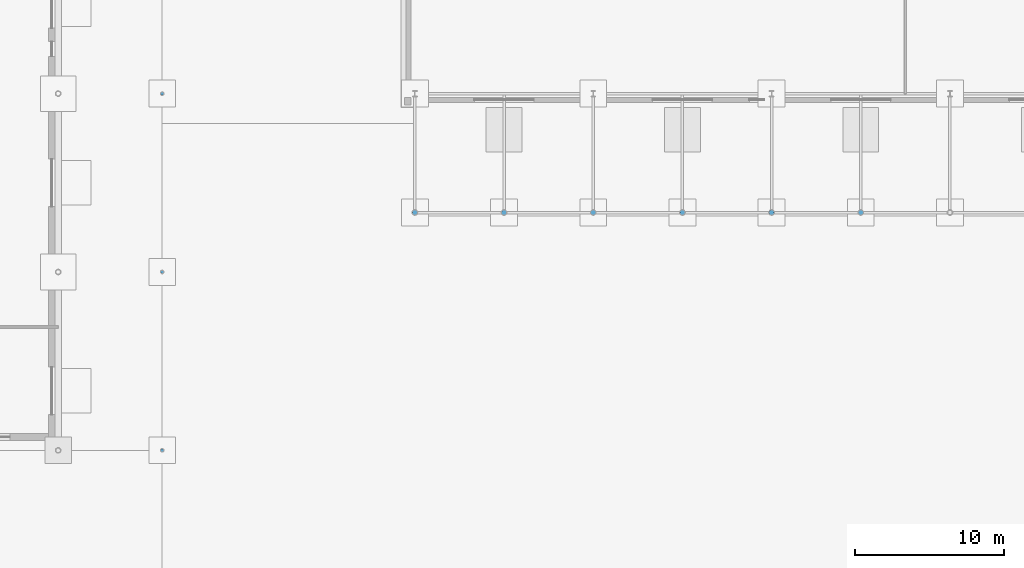
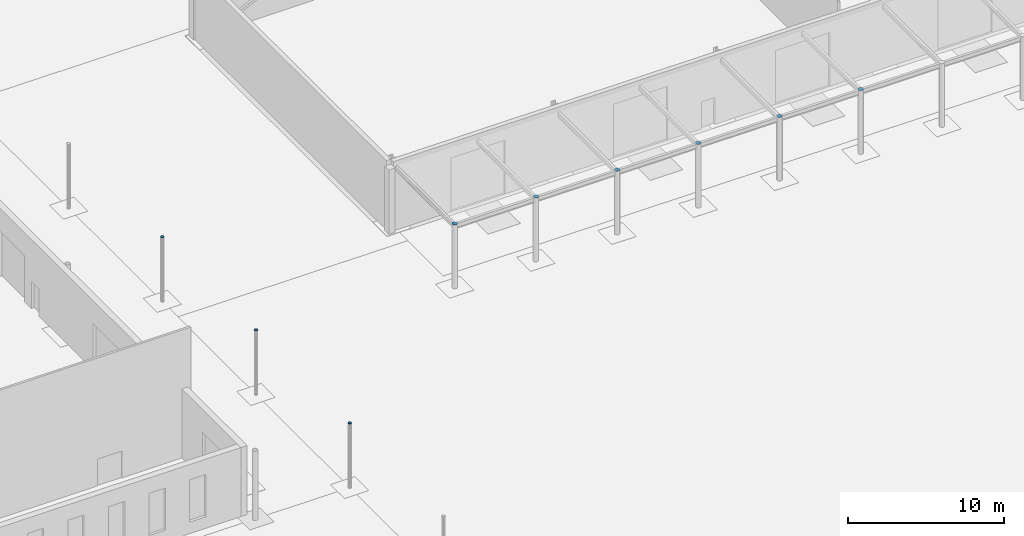
# One storey, part 113 of 132: 9 discrete accessories.
"""IFC4 building model written with IfcOpenShell, lengths in metres."""

from ifc_helpers import new_model, si_unit, direction, frame, origin, origin_2d, place, context, subcontext, project, spatial, circle, extrude, material, material_profile, profile_set, type_object, element, save


model = new_model("IFC4")

# Units and contexts
model_context = context("Model", 3, precision=1e-05, world=origin(), true_north=direction((0.0, 1.0)))
body_context = subcontext(model_context, "Body", "Model", "MODEL_VIEW")
ifc_project = project(units=[si_unit("LENGTHUNIT", "METRE"), si_unit("AREAUNIT", "SQUARE_METRE"), si_unit("VOLUMEUNIT", "CUBIC_METRE"), si_unit("PLANEANGLEUNIT", "RADIAN"), si_unit("MASSUNIT", "GRAM", prefix="KILO")], contexts=[model_context])

# Site, building, storey
site_placement = place(None, origin())
site = spatial("IfcSite", under=ifc_project, at=site_placement, CompositionType="ELEMENT")
building_placement = place(site_placement, origin())
building = spatial("IfcBuilding", under=site, at=building_placement, Name="Ravi Spectrum Wholesale Market", CompositionType="ELEMENT")
storey_placement = place(building_placement, origin())
storey = spatial("IfcBuildingStorey", under=building, at=storey_placement, Name="L00", CompositionType="ELEMENT", Elevation=0.0)

# Discrete accessories
ifc_material_1 = material(Name="Steel S355", Category="steel")
ifc_material_profile_1 = material_profile(ifc_material_1, circle(Radius=0.109619140625, at=origin_2d()))
ifc_profile_set_1 = profile_set([ifc_material_profile_1], Name="Steel S355")
discrete_accessory_type_1 = type_object("IfcDiscreteAccessoryType", Name="End plate CHS 219.1x8", PredefinedType="BRACKET", material=ifc_profile_set_1)
for number, where, z_axis, x_axis, name in (
    (1, (205.0, 138.0, 5.0400390625), (0.0, 0.0, 1.0), (1.0, 0.0, 0.0), "End plate"),
    (2, (205.0, 150.0, 5.0400390625), (0.0, 0.0, 1.0), (1.0, 0.0, 0.0), "End plate"),
    (3, (205.0, 162.0, 5.0400390625), (0.0, 0.0, 1.0), (1.0, 0.0, 0.0), "End plate"),
):
    element("IfcDiscreteAccessory", number, at=place(storey_placement, frame(where, z_axis=z_axis, x_axis=x_axis)), inside=storey, type_object=discrete_accessory_type_1, Name=name, PredefinedType="BRACKET", context=body_context, shape_type="SweptSolid", body=[
        extrude(circle(Radius=0.109619140625, at=origin_2d()), origin(), (0.0, 0.0, 1.0), 0.011962890625),
    ])
ifc_material_2 = material(Name="Steel S355", Category="steel")
ifc_material_profile_2 = material_profile(ifc_material_2, circle(Radius=0.177734375, at=origin_2d()))
ifc_profile_set_2 = profile_set([ifc_material_profile_2], Name="Steel S355")
discrete_accessory_type_2 = type_object("IfcDiscreteAccessoryType", Name="End plate CHS 355.6x12.5", PredefinedType="BRACKET", material=ifc_profile_set_2)
for number, where, z_axis, x_axis, name in (
    (4, (222.0, 154.0, 4.97998046875), (0.0, 0.0, 1.0), (1.0, 0.0, 0.0), "End plate"),
    (5, (228.0, 154.0, 4.97998046875), (0.0, 0.0, 1.0), (1.0, 0.0, 0.0), "End plate"),
    (6, (234.0, 154.0, 4.97998046875), (0.0, 0.0, 1.0), (1.0, 0.0, 0.0), "End plate"),
    (7, (240.0, 154.0, 4.97998046875), (0.0, 0.0, 1.0), (1.0, 0.0, 0.0), "End plate"),
    (8, (246.0, 154.0, 4.97998046875), (0.0, 0.0, 1.0), (1.0, 0.0, 0.0), "End plate"),
    (9, (252.0, 154.0, 4.97998046875), (0.0, 0.0, 1.0), (1.0, 0.0, 0.0), "End plate"),
):
    element("IfcDiscreteAccessory", number, at=place(storey_placement, frame(where, z_axis=z_axis, x_axis=x_axis)), inside=storey, type_object=discrete_accessory_type_2, Name=name, PredefinedType="BRACKET", context=body_context, shape_type="SweptSolid", body=[
        extrude(circle(Radius=0.177734375, at=origin_2d()), origin(), (0.0, 0.0, 1.0), 0.011962890625),
    ])

save(model, "model.ifc")
